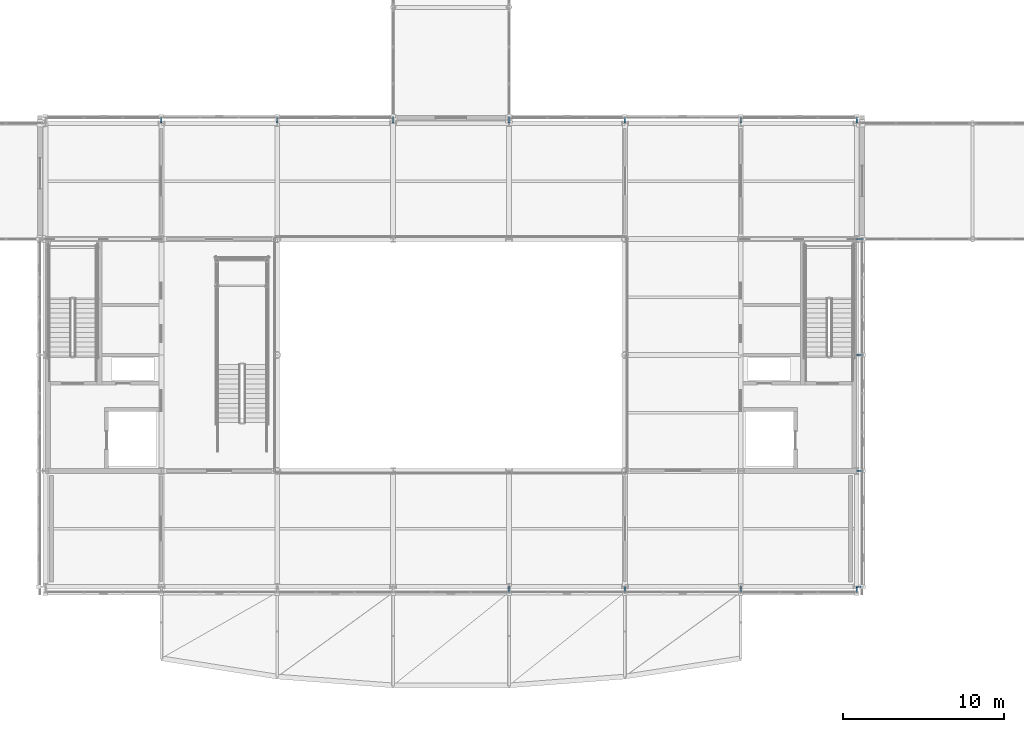
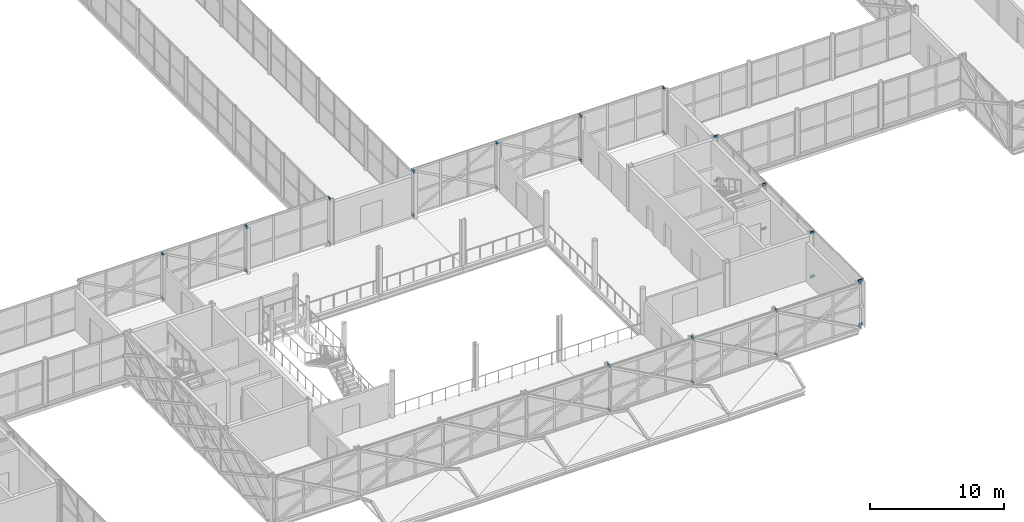
# One storey, part 82 of 146: 30 beams.
"""IFC4 building model written with IfcOpenShell, lengths in metres."""

import ifcopenshell
import ifcopenshell.guid

model = None  # the IFC model being written
_history = None  # IfcOwnerHistory: only IFC2X3 demands one
_inside = {}  # id of a spatial element -> (the spatial element, [elements in it])
_under = {}  # id of a project, library or spatial element -> (it, [spatial elements below it])
_declared = {}  # id of a project -> (the project, [libraries it declares])
_typed = {}  # id of a type object -> (the type object, [elements of that type])
_made_of = {}  # id of a material, layer set ... -> (it, [elements and type objects made of it])


def new_model(schema):
    """Start an empty IFC model of exactly this schema.

    Asked for "IFC4X3", IfcOpenShell would pick the latest addendum, in which some entities
    have other attributes; the version numbers below select the first issue.
    IFC2X3 requires an IfcOwnerHistory on every rooted entity: one is made here for all.
    """
    global model, _history
    if schema == "IFC4X3":
        model = ifcopenshell.file(schema_version=(4, 3, 0, 0))
    else:
        model = ifcopenshell.file(schema=schema)
    _inside.clear()
    _under.clear()
    _declared.clear()
    _typed.clear()
    _made_of.clear()
    _history = None
    if model.schema == "IFC2X3":
        org = make("IfcOrganization", Name="unknown")
        user = make(
            "IfcPersonAndOrganization",
            ThePerson=make("IfcPerson", FamilyName="unknown"),
            TheOrganization=org,
        )
        app = make(
            "IfcApplication",
            ApplicationDeveloper=org,
            Version="unknown",
            ApplicationFullName="unknown",
            ApplicationIdentifier="unknown",
        )
        _history = make(
            "IfcOwnerHistory",
            OwningUser=user,
            OwningApplication=app,
            ChangeAction="ADDED",
            CreationDate=0,
        )
    return model


def make(cls, **values):
    """One entity of the class cls with the attributes given. An attribute that is None is left unset."""
    return model.create_entity(
        cls, **{name: value for name, value in values.items() if value is not None}
    )


def rooted(cls, **values):
    """An entity with a GlobalId (a new one), such as an element, a storey or a relation."""
    return make(cls, GlobalId=ifcopenshell.guid.new(), OwnerHistory=_history, **values)


def si_unit(unit_type, name, prefix=None):
    """IfcSIUnit, for example si_unit("LENGTHUNIT", "METRE", prefix="MILLI")."""
    return make("IfcSIUnit", UnitType=unit_type, Prefix=prefix, Name=name)


def assignment(units):
    """IfcUnitAssignment: the units of a project."""
    return None if units is None else make("IfcUnitAssignment", Units=units)


def point(xyz):
    """IfcCartesianPoint."""
    return None if xyz is None else make("IfcCartesianPoint", Coordinates=xyz)


def direction(xyz):
    """IfcDirection."""
    return None if xyz is None else make("IfcDirection", DirectionRatios=xyz)


def frame(location, z_axis=None, x_axis=None):
    """IfcAxis2Placement3D, a coordinate frame: its origin and axes. An axis left out is left unset."""
    return make(
        "IfcAxis2Placement3D",
        Location=point(location),
        Axis=direction(z_axis),
        RefDirection=direction(x_axis),
    )


def frame_2d(location, x_axis=None):
    """IfcAxis2Placement2D, a coordinate frame in the plane: its origin and x axis."""
    return make(
        "IfcAxis2Placement2D", Location=point(location), RefDirection=direction(x_axis)
    )


def origin():
    """The frame at (0, 0, 0) with its axes left unset."""
    return frame((0.0, 0.0, 0.0))


def origin_2d():
    """The frame at (0, 0) in the plane with its x axis left unset."""
    return frame_2d((0.0, 0.0))


def place(relative_to, where):
    """IfcLocalPlacement: puts the frame where relative to a parent placement (None: the world)."""
    return make(
        "IfcLocalPlacement", PlacementRelTo=relative_to, RelativePlacement=where
    )


def context(
    kind, dimensions, precision=None, world=None, true_north=None, identifier=None
):
    """IfcGeometricRepresentationContext, for example the 3D "Model" context."""
    return make(
        "IfcGeometricRepresentationContext",
        ContextIdentifier=identifier,
        ContextType=kind,
        CoordinateSpaceDimension=dimensions,
        Precision=precision,
        WorldCoordinateSystem=world,
        TrueNorth=true_north,
    )


def subcontext(parent, identifier, kind, view, scale=None):
    """IfcGeometricRepresentationSubContext, for example "Body" below "Model"."""
    return make(
        "IfcGeometricRepresentationSubContext",
        ContextIdentifier=identifier,
        ContextType=kind,
        ParentContext=parent,
        TargetScale=scale,
        TargetView=view,
    )


def project(units=None, contexts=None):
    """IfcProject with its units and contexts."""
    return rooted(
        "IfcProject",
        Name="project",
        RepresentationContexts=contexts,
        UnitsInContext=assignment(units),
    )


def spatial(cls, under=None, at=None, **own):
    """A site, building, storey or space (cls), placed at a placement, below another one or the project."""
    s = rooted(cls, ObjectPlacement=at, **own)
    if under is not None:
        _under.setdefault(under.id(), (under, []))[1].append(s)
    return s


def profile(cls, at=None, kind="AREA", **sizes):
    """A parametric profile (cls). Its sizes go by their IFC names, for example OverallWidth=200.0."""
    return make(cls, ProfileType=kind, Position=at, **sizes)


def i_section(**sizes):
    """IfcIShapeProfileDef."""
    return profile("IfcIShapeProfileDef", **sizes)


def extrude(swept, where, along, depth):
    """IfcExtrudedAreaSolid: the profile swept, set in the frame where, extruded along a direction by depth."""
    return make(
        "IfcExtrudedAreaSolid",
        SweptArea=swept,
        Position=where,
        ExtrudedDirection=direction(along),
        Depth=depth,
    )


def shape(context_of_items, identifier, shape_type, items):
    """IfcShapeRepresentation: the items that make up one representation, for example the "Body"."""
    return make(
        "IfcShapeRepresentation",
        ContextOfItems=context_of_items,
        RepresentationIdentifier=identifier,
        RepresentationType=shape_type,
        Items=items,
    )


def material(Name=None, Category=None):
    """IfcMaterial."""
    return make("IfcMaterial", Name=Name, Category=Category)


def material_profile(
    of_material, cross_section, Name=None, Category=None, Priority=None
):
    """IfcMaterialProfile: a cross section and its material."""
    return make(
        "IfcMaterialProfile",
        Name=Name,
        Material=of_material,
        Profile=cross_section,
        Priority=Priority,
        Category=Category,
    )


def profile_set(profiles, Name=None, composite=None):
    """IfcMaterialProfileSet."""
    return make(
        "IfcMaterialProfileSet",
        Name=Name,
        MaterialProfiles=profiles,
        CompositeProfile=composite,
    )


def made_of(thing, what):
    """Note that an element or type object is made of a material, layer set ...; save() writes the relation."""
    if what is not None:
        _made_of.setdefault(what.id(), (what, []))[1].append(thing)
    return thing


def type_object(cls, material=None, **own):
    """A type object (cls), such as IfcWallType, which elements share."""
    return made_of(rooted(cls, **own), material)


def element(
    cls,
    number,
    at=None,
    inside=None,
    cuts=None,
    type_object=None,
    material=None,
    context=None,
    identifier="Body",
    shape_type=None,
    held_by="IfcProductDefinitionShape",
    body=None,
    shapes=None,
    **own,
):
    """One element of the class cls, such as IfcWall. Its Tag is "e" and its number.

    at: its placement. inside: the storey or other place that contains it. cuts: it is an
    opening in that element (IfcRelVoidsElement). A single representation is given by context,
    identifier, shape_type and body (its items); several are given by shapes. held_by: the class
    of the entity that holds the representations. save() writes the other relations.
    """
    e = rooted(cls, Tag="e%d" % number, ObjectPlacement=at, **own)
    if body is not None:
        shapes = [shape(context, identifier, shape_type, body)]
    if shapes is not None:
        e.Representation = make(held_by, Representations=shapes)
    if inside is not None:
        _inside.setdefault(inside.id(), (inside, []))[1].append(e)
    if cuts is not None:
        rooted(
            "IfcRelVoidsElement", RelatingBuildingElement=cuts, RelatedOpeningElement=e
        )
    if type_object is not None:
        _typed.setdefault(type_object.id(), (type_object, []))[1].append(e)
    return made_of(e, material)


def aggregate(whole, parts):
    """IfcRelAggregates: a whole, such as a stair, and the parts it consists of."""
    return rooted("IfcRelAggregates", RelatingObject=whole, RelatedObjects=parts)


def save(model, path):
    """Write the relations noted so far, then the file.

    IfcRelAggregates (storeys below a building ...), IfcRelContainedInSpatialStructure (elements
    in a storey), IfcRelDefinesByType, IfcRelAssociatesMaterial and IfcRelDeclares: one each for
    every whole, place, type object, material and project.
    """
    for whole, parts in _under.values():
        aggregate(whole, parts)
    for where, things in _inside.values():
        rooted(
            "IfcRelContainedInSpatialStructure",
            RelatedElements=things,
            RelatingStructure=where,
        )
    for kind, things in _typed.values():
        rooted("IfcRelDefinesByType", RelatedObjects=things, RelatingType=kind)
    for what, things in _made_of.values():
        rooted("IfcRelAssociatesMaterial", RelatedObjects=things, RelatingMaterial=what)
    for by, libraries in _declared.values():
        rooted("IfcRelDeclares", RelatingContext=by, RelatedDefinitions=libraries)
    model.write(path)


model = new_model("IFC4")

# Units and contexts
model_context = context("Model", 3, precision=1e-05, world=origin(), true_north=direction((0.0, 1.0)))
body_context = subcontext(model_context, "Body", "Model", "MODEL_VIEW")
ifc_project = project(units=[si_unit("LENGTHUNIT", "METRE"), si_unit("AREAUNIT", "SQUARE_METRE"), si_unit("VOLUMEUNIT", "CUBIC_METRE"), si_unit("PLANEANGLEUNIT", "RADIAN"), si_unit("MASSUNIT", "GRAM", prefix="KILO")], contexts=[model_context])

# Site, building, storey
site_placement = place(None, origin())
site = spatial("IfcSite", under=ifc_project, at=site_placement, CompositionType="ELEMENT")
building_placement = place(site_placement, origin())
building = spatial("IfcBuilding", under=site, at=building_placement, Name="Zlatovets Crest Museum", CompositionType="ELEMENT")
storey_placement = place(building_placement, frame((0.0, 0.0, 4.5)))
storey = spatial("IfcBuildingStorey", under=building, at=storey_placement, Name="L01", CompositionType="ELEMENT", Elevation=4.5)

# Beams
ifc_material = material(Name="Structural steel S355J2", Category="steel")
ifc_material_profile = material_profile(ifc_material, i_section(OverallWidth=0.10009765625, OverallDepth=0.199951171875, WebThickness=0.005615234375, FlangeThickness=0.008544921875, FilletRadius=0.011962890625, at=origin_2d()), Name="IPE 200")
ifc_profile_set = profile_set([ifc_material_profile], Name="Structural steel S355J2")
beam_type = type_object("IfcBeamType", Name="Beam_PR-02", PredefinedType="LINTEL", material=ifc_profile_set)
for number, where, z_axis, x_axis, name in (
    (1, (86.39990234375, 0.0, 0.10009765625), (0.0, -1.0, 0.0), (1.0, 0.0, 0.0), "Lattice Structural Outrigger Tie"),
    (2, (86.39990234375, 0.0, 4.10009765625), (0.0, -1.0, 0.0), (1.0, 0.0, 0.0), "Lattice Structural Outrigger Tie"),
    (3, (93.60009765625, 0.0, 0.10009765625), (0.0, -1.0, 0.0), (1.0, 0.0, 0.0), "Lattice Structural Outrigger Tie"),
    (4, (93.60009765625, 0.0, 4.10009765625), (0.0, -1.0, 0.0), (1.0, 0.0, 0.0), "Lattice Structural Outrigger Tie"),
    (5, (100.800048828125, 0.0, 0.10009765625), (0.0, -1.0, 0.0), (1.0, 0.0, 0.0), "Lattice Structural Outrigger Tie"),
    (6, (100.800048828125, 0.0, 4.10009765625), (0.0, -1.0, 0.0), (1.0, 0.0, 0.0), "Lattice Structural Outrigger Tie"),
    (7, (108.0, 0.0, 0.10009765625), (0.0, -1.0, 0.0), (1.0, 0.0, 0.0), "Lattice Structural Outrigger Tie"),
    (8, (108.0, 0.0, 4.10009765625), (0.0, -1.0, 0.0), (1.0, 0.0, 0.0), "Lattice Structural Outrigger Tie"),
    (9, (108.0, 0.0, 0.10009765625), (1.0, 0.0, 0.0), (0.0, 1.0, 0.0), "Lattice Structural Outrigger Tie"),
    (10, (108.0, 0.0, 4.10009765625), (1.0, 0.0, 0.0), (0.0, 1.0, 0.0), "Lattice Structural Outrigger Tie"),
    (11, (108.0, 7.199951171875, 0.10009765625), (1.0, 0.0, 0.0), (0.0, 1.0, 0.0), "Lattice Structural Outrigger Tie"),
    (12, (108.0, 7.199951171875, 4.10009765625), (1.0, 0.0, 0.0), (0.0, 1.0, 0.0), "Lattice Structural Outrigger Tie"),
    (13, (108.0, 14.39990234375, 0.10009765625), (1.0, 0.0, 0.0), (0.0, 1.0, 0.0), "Lattice Structural Outrigger Tie"),
    (14, (108.0, 14.39990234375, 4.10009765625), (1.0, 0.0, 0.0), (0.0, 1.0, 0.0), "Lattice Structural Outrigger Tie"),
    (15, (108.0, 21.60009765625, 0.10009765625), (1.0, 0.0, 0.0), (0.0, 1.0, 0.0), "Lattice Structural Outrigger Tie"),
    (16, (108.0, 21.60009765625, 4.10009765625), (1.0, 0.0, 0.0), (0.0, 1.0, 0.0), "Lattice Structural Outrigger Tie"),
    (17, (108.0, 28.800048828125, 0.10009765625), (0.0, 1.0, 0.0), (-1.0, 0.0, 0.0), "Lattice Structural Outrigger Tie"),
    (18, (108.0, 28.800048828125, 4.10009765625), (0.0, 1.0, 0.0), (-1.0, 0.0, 0.0), "Lattice Structural Outrigger Tie"),
    (19, (100.800048828125, 28.800048828125, 0.10009765625), (0.0, 1.0, 0.0), (-1.0, 0.0, 0.0), "Lattice Structural Outrigger Tie"),
    (20, (100.800048828125, 28.800048828125, 4.10009765625), (0.0, 1.0, 0.0), (-1.0, 0.0, 0.0), "Lattice Structural Outrigger Tie"),
    (21, (93.60009765625, 28.800048828125, 0.10009765625), (0.0, 1.0, 0.0), (-1.0, 0.0, 0.0), "Lattice Structural Outrigger Tie"),
    (22, (93.60009765625, 28.800048828125, 4.10009765625), (0.0, 1.0, 0.0), (-1.0, 0.0, 0.0), "Lattice Structural Outrigger Tie"),
    (23, (86.39990234375, 28.800048828125, 0.10009765625), (0.0, 1.0, 0.0), (-1.0, 0.0, 0.0), "Lattice Structural Outrigger Tie"),
    (24, (86.39990234375, 28.800048828125, 4.10009765625), (0.0, 1.0, 0.0), (-1.0, 0.0, 0.0), "Lattice Structural Outrigger Tie"),
    (25, (79.199951171875, 28.800048828125, 0.10009765625), (0.0, 1.0, 0.0), (-1.0, 0.0, 0.0), "Lattice Structural Outrigger Tie"),
    (26, (79.199951171875, 28.800048828125, 4.10009765625), (0.0, 1.0, 0.0), (-1.0, 0.0, 0.0), "Lattice Structural Outrigger Tie"),
    (27, (72.0, 28.800048828125, 0.10009765625), (0.0, 1.0, 0.0), (-1.0, 0.0, 0.0), "Lattice Structural Outrigger Tie"),
    (28, (72.0, 28.800048828125, 4.10009765625), (0.0, 1.0, 0.0), (-1.0, 0.0, 0.0), "Lattice Structural Outrigger Tie"),
    (29, (64.800048828125, 28.800048828125, 0.10009765625), (0.0, 1.0, 0.0), (-1.0, 0.0, 0.0), "Lattice Structural Outrigger Tie"),
    (30, (64.800048828125, 28.800048828125, 4.10009765625), (0.0, 1.0, 0.0), (-1.0, 0.0, 0.0), "Lattice Structural Outrigger Tie"),
):
    element("IfcBeam", number, at=place(storey_placement, frame(where, z_axis=z_axis, x_axis=x_axis)), inside=storey, type_object=beam_type, Name=name, PredefinedType="LINTEL", context=body_context, shape_type="SweptSolid", body=[
        extrude(i_section(OverallWidth=0.10009765625, OverallDepth=0.199951171875, WebThickness=0.005615234375, FlangeThickness=0.008544921875, FilletRadius=0.011962890625, at=origin_2d()), origin(), (0.0, 0.0, 1.0), 0.419921875),
    ])

save(model, "model.ifc")
